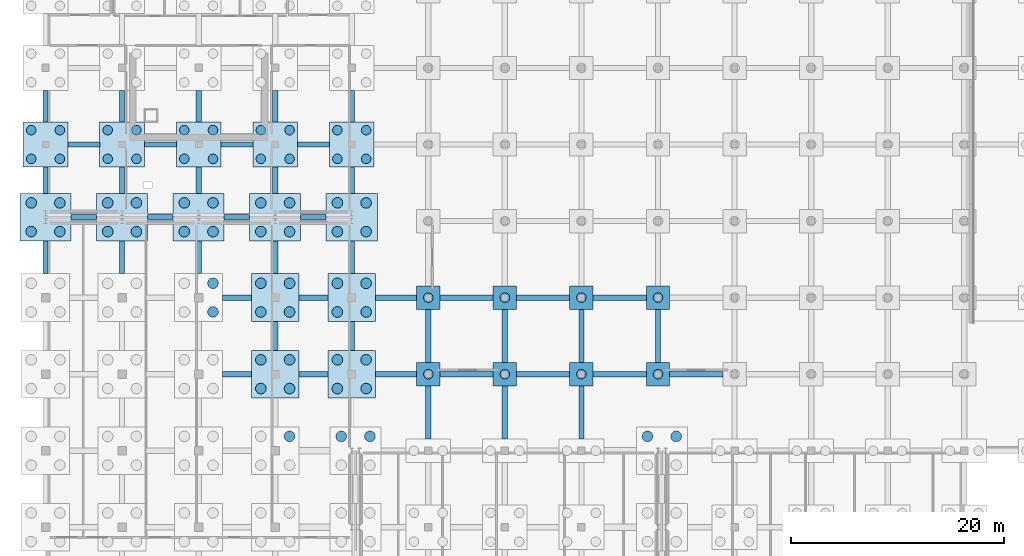
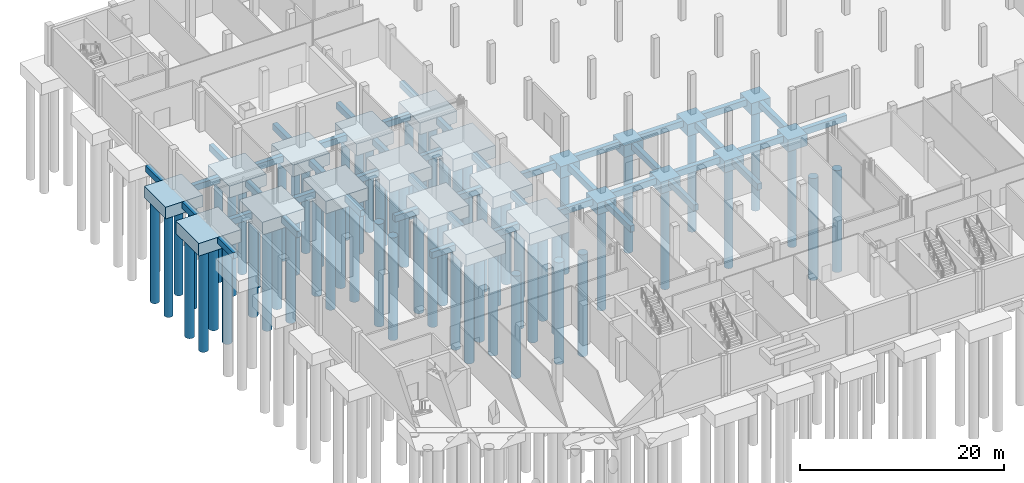
# One storey, part 3 of 35: 71 piles, 67 footings.
"""IFC4 building model written with IfcOpenShell, lengths in metres."""

import ifcopenshell
import ifcopenshell.guid

model = None  # the IFC model being written
_history = None  # IfcOwnerHistory: only IFC2X3 demands one
_inside = {}  # id of a spatial element -> (the spatial element, [elements in it])
_under = {}  # id of a project, library or spatial element -> (it, [spatial elements below it])
_declared = {}  # id of a project -> (the project, [libraries it declares])
_typed = {}  # id of a type object -> (the type object, [elements of that type])
_made_of = {}  # id of a material, layer set ... -> (it, [elements and type objects made of it])


def new_model(schema):
    """Start an empty IFC model of exactly this schema.

    Asked for "IFC4X3", IfcOpenShell would pick the latest addendum, in which some entities
    have other attributes; the version numbers below select the first issue.
    IFC2X3 requires an IfcOwnerHistory on every rooted entity: one is made here for all.
    """
    global model, _history
    if schema == "IFC4X3":
        model = ifcopenshell.file(schema_version=(4, 3, 0, 0))
    else:
        model = ifcopenshell.file(schema=schema)
    _inside.clear()
    _under.clear()
    _declared.clear()
    _typed.clear()
    _made_of.clear()
    _history = None
    if model.schema == "IFC2X3":
        org = make("IfcOrganization", Name="unknown")
        user = make(
            "IfcPersonAndOrganization",
            ThePerson=make("IfcPerson", FamilyName="unknown"),
            TheOrganization=org,
        )
        app = make(
            "IfcApplication",
            ApplicationDeveloper=org,
            Version="unknown",
            ApplicationFullName="unknown",
            ApplicationIdentifier="unknown",
        )
        _history = make(
            "IfcOwnerHistory",
            OwningUser=user,
            OwningApplication=app,
            ChangeAction="ADDED",
            CreationDate=0,
        )
    return model


def make(cls, **values):
    """One entity of the class cls with the attributes given. An attribute that is None is left unset."""
    return model.create_entity(
        cls, **{name: value for name, value in values.items() if value is not None}
    )


def rooted(cls, **values):
    """An entity with a GlobalId (a new one), such as an element, a storey or a relation."""
    return make(cls, GlobalId=ifcopenshell.guid.new(), OwnerHistory=_history, **values)


def si_unit(unit_type, name, prefix=None):
    """IfcSIUnit, for example si_unit("LENGTHUNIT", "METRE", prefix="MILLI")."""
    return make("IfcSIUnit", UnitType=unit_type, Prefix=prefix, Name=name)


def assignment(units):
    """IfcUnitAssignment: the units of a project."""
    return None if units is None else make("IfcUnitAssignment", Units=units)


def point(xyz):
    """IfcCartesianPoint."""
    return None if xyz is None else make("IfcCartesianPoint", Coordinates=xyz)


def direction(xyz):
    """IfcDirection."""
    return None if xyz is None else make("IfcDirection", DirectionRatios=xyz)


def frame(location, z_axis=None, x_axis=None):
    """IfcAxis2Placement3D, a coordinate frame: its origin and axes. An axis left out is left unset."""
    return make(
        "IfcAxis2Placement3D",
        Location=point(location),
        Axis=direction(z_axis),
        RefDirection=direction(x_axis),
    )


def frame_2d(location, x_axis=None):
    """IfcAxis2Placement2D, a coordinate frame in the plane: its origin and x axis."""
    return make(
        "IfcAxis2Placement2D", Location=point(location), RefDirection=direction(x_axis)
    )


def origin():
    """The frame at (0, 0, 0) with its axes left unset."""
    return frame((0.0, 0.0, 0.0))


def origin_2d():
    """The frame at (0, 0) in the plane with its x axis left unset."""
    return frame_2d((0.0, 0.0))


def place(relative_to, where):
    """IfcLocalPlacement: puts the frame where relative to a parent placement (None: the world)."""
    return make(
        "IfcLocalPlacement", PlacementRelTo=relative_to, RelativePlacement=where
    )


def context(
    kind, dimensions, precision=None, world=None, true_north=None, identifier=None
):
    """IfcGeometricRepresentationContext, for example the 3D "Model" context."""
    return make(
        "IfcGeometricRepresentationContext",
        ContextIdentifier=identifier,
        ContextType=kind,
        CoordinateSpaceDimension=dimensions,
        Precision=precision,
        WorldCoordinateSystem=world,
        TrueNorth=true_north,
    )


def subcontext(parent, identifier, kind, view, scale=None):
    """IfcGeometricRepresentationSubContext, for example "Body" below "Model"."""
    return make(
        "IfcGeometricRepresentationSubContext",
        ContextIdentifier=identifier,
        ContextType=kind,
        ParentContext=parent,
        TargetScale=scale,
        TargetView=view,
    )


def project(units=None, contexts=None):
    """IfcProject with its units and contexts."""
    return rooted(
        "IfcProject",
        Name="project",
        RepresentationContexts=contexts,
        UnitsInContext=assignment(units),
    )


def spatial(cls, under=None, at=None, **own):
    """A site, building, storey or space (cls), placed at a placement, below another one or the project."""
    s = rooted(cls, ObjectPlacement=at, **own)
    if under is not None:
        _under.setdefault(under.id(), (under, []))[1].append(s)
    return s


def profile(cls, at=None, kind="AREA", **sizes):
    """A parametric profile (cls). Its sizes go by their IFC names, for example OverallWidth=200.0."""
    return make(cls, ProfileType=kind, Position=at, **sizes)


def rectangle(**sizes):
    """IfcRectangleProfileDef."""
    return profile("IfcRectangleProfileDef", **sizes)


def circle(**sizes):
    """IfcCircleProfileDef."""
    return profile("IfcCircleProfileDef", **sizes)


def extrude(swept, where, along, depth):
    """IfcExtrudedAreaSolid: the profile swept, set in the frame where, extruded along a direction by depth."""
    return make(
        "IfcExtrudedAreaSolid",
        SweptArea=swept,
        Position=where,
        ExtrudedDirection=direction(along),
        Depth=depth,
    )


def shape(context_of_items, identifier, shape_type, items):
    """IfcShapeRepresentation: the items that make up one representation, for example the "Body"."""
    return make(
        "IfcShapeRepresentation",
        ContextOfItems=context_of_items,
        RepresentationIdentifier=identifier,
        RepresentationType=shape_type,
        Items=items,
    )


def material(Name=None, Category=None):
    """IfcMaterial."""
    return make("IfcMaterial", Name=Name, Category=Category)


def material_profile(
    of_material, cross_section, Name=None, Category=None, Priority=None
):
    """IfcMaterialProfile: a cross section and its material."""
    return make(
        "IfcMaterialProfile",
        Name=Name,
        Material=of_material,
        Profile=cross_section,
        Priority=Priority,
        Category=Category,
    )


def profile_set(profiles, Name=None, composite=None):
    """IfcMaterialProfileSet."""
    return make(
        "IfcMaterialProfileSet",
        Name=Name,
        MaterialProfiles=profiles,
        CompositeProfile=composite,
    )


def made_of(thing, what):
    """Note that an element or type object is made of a material, layer set ...; save() writes the relation."""
    if what is not None:
        _made_of.setdefault(what.id(), (what, []))[1].append(thing)
    return thing


def type_object(cls, material=None, **own):
    """A type object (cls), such as IfcWallType, which elements share."""
    return made_of(rooted(cls, **own), material)


def element(
    cls,
    number,
    at=None,
    inside=None,
    cuts=None,
    type_object=None,
    material=None,
    context=None,
    identifier="Body",
    shape_type=None,
    held_by="IfcProductDefinitionShape",
    body=None,
    shapes=None,
    **own,
):
    """One element of the class cls, such as IfcWall. Its Tag is "e" and its number.

    at: its placement. inside: the storey or other place that contains it. cuts: it is an
    opening in that element (IfcRelVoidsElement). A single representation is given by context,
    identifier, shape_type and body (its items); several are given by shapes. held_by: the class
    of the entity that holds the representations. save() writes the other relations.
    """
    e = rooted(cls, Tag="e%d" % number, ObjectPlacement=at, **own)
    if body is not None:
        shapes = [shape(context, identifier, shape_type, body)]
    if shapes is not None:
        e.Representation = make(held_by, Representations=shapes)
    if inside is not None:
        _inside.setdefault(inside.id(), (inside, []))[1].append(e)
    if cuts is not None:
        rooted(
            "IfcRelVoidsElement", RelatingBuildingElement=cuts, RelatedOpeningElement=e
        )
    if type_object is not None:
        _typed.setdefault(type_object.id(), (type_object, []))[1].append(e)
    return made_of(e, material)


def aggregate(whole, parts):
    """IfcRelAggregates: a whole, such as a stair, and the parts it consists of."""
    return rooted("IfcRelAggregates", RelatingObject=whole, RelatedObjects=parts)


def save(model, path):
    """Write the relations noted so far, then the file.

    IfcRelAggregates (storeys below a building ...), IfcRelContainedInSpatialStructure (elements
    in a storey), IfcRelDefinesByType, IfcRelAssociatesMaterial and IfcRelDeclares: one each for
    every whole, place, type object, material and project.
    """
    for whole, parts in _under.values():
        aggregate(whole, parts)
    for where, things in _inside.values():
        rooted(
            "IfcRelContainedInSpatialStructure",
            RelatedElements=things,
            RelatingStructure=where,
        )
    for kind, things in _typed.values():
        rooted("IfcRelDefinesByType", RelatedObjects=things, RelatingType=kind)
    for what, things in _made_of.values():
        rooted("IfcRelAssociatesMaterial", RelatedObjects=things, RelatingMaterial=what)
    for by, libraries in _declared.values():
        rooted("IfcRelDeclares", RelatingContext=by, RelatedDefinitions=libraries)
    model.write(path)


model = new_model("IFC4")

# Units and contexts
model_context = context("Model", 3, precision=1e-05, world=origin(), true_north=direction((0.0, 1.0)))
body_context = subcontext(model_context, "Body", "Model", "MODEL_VIEW")
ifc_project = project(units=[si_unit("LENGTHUNIT", "METRE"), si_unit("AREAUNIT", "SQUARE_METRE"), si_unit("VOLUMEUNIT", "CUBIC_METRE"), si_unit("PLANEANGLEUNIT", "RADIAN"), si_unit("MASSUNIT", "GRAM", prefix="KILO")], contexts=[model_context])

# Site, building, storey
site_placement = place(None, origin())
site = spatial("IfcSite", under=ifc_project, at=site_placement, CompositionType="ELEMENT")
building_placement = place(site_placement, origin())
building = spatial("IfcBuilding", under=site, at=building_placement, Name="Zarrinpeak Specialist Clinic", CompositionType="ELEMENT")
storey_placement = place(building_placement, frame((0.0, 0.0, -4.800048828125)))
storey = spatial("IfcBuildingStorey", under=building, at=storey_placement, Name="B01", CompositionType="ELEMENT", Elevation=-4.800048828125)

# Footings
ifc_material = material(Name="Concrete C40/50", Category="concrete")
ifc_material_profile_1 = material_profile(ifc_material, rectangle(XDim=0.5, YDim=0.75, at=origin_2d()), Name="RC 500x750")
ifc_profile_set_1 = profile_set([ifc_material_profile_1], Name="Concrete C40/50")
footing_type_1 = type_object("IfcFootingType", Name="FT-GB1", PredefinedType="FOOTING_BEAM", material=ifc_profile_set_1)
footing_1_placement = place(storey_placement, frame((16.64990234375, 36.0, -0.77490234375), z_axis=(1.0, 0.0, 0.0), x_axis=(0.0, 1.0, 0.0)))
element("IfcFooting", 1, at=footing_1_placement, inside=storey, type_object=footing_type_1, Name="Continuous Ground Tie Beam GB-060", PredefinedType="FOOTING_BEAM", context=body_context, shape_type="SweptSolid", body=[
    extrude(rectangle(XDim=0.5, YDim=0.75, at=origin_2d()), origin(), (0.0, 0.0, 1.0), 2.7001953125),
])
footing_2_placement = place(storey_placement, frame((23.85009765625, 36.0, -0.77490234375), z_axis=(1.0, 0.0, 0.0), x_axis=(0.0, 1.0, 0.0)))
element("IfcFooting", 2, at=footing_2_placement, inside=storey, type_object=footing_type_1, Name="Continuous Ground Tie Beam GB-061", PredefinedType="FOOTING_BEAM", context=body_context, shape_type="SweptSolid", body=[
    extrude(rectangle(XDim=0.5, YDim=0.75, at=origin_2d()), origin(), (0.0, 0.0, 1.0), 2.699951171875),
])
footing_3_placement = place(storey_placement, frame((31.050048828125, 36.0, -0.77490234375), z_axis=(1.0, 0.0, 0.0), x_axis=(0.0, 1.0, 0.0)))
element("IfcFooting", 3, at=footing_3_placement, inside=storey, type_object=footing_type_1, Name="Continuous Ground Tie Beam GB-062", PredefinedType="FOOTING_BEAM", context=body_context, shape_type="SweptSolid", body=[
    extrude(rectangle(XDim=0.5, YDim=0.75, at=origin_2d()), origin(), (0.0, 0.0, 1.0), 3.849853515625),
])
for number, where, z_axis, x_axis, name in (
    (4, (37.10009765625, 36.0, -0.77490234375), (1.0, 0.0, 0.0), (0.0, 1.0, 0.0), "Continuous Ground Tie Beam GB-063"),
    (5, (44.300048828125, 36.0, -0.77490234375), (1.0, 0.0, 0.0), (0.0, 1.0, 0.0), "Continuous Ground Tie Beam GB-064"),
    (6, (51.5, 36.0, -0.77490234375), (1.0, 0.0, 0.0), (0.0, 1.0, 0.0), "Continuous Ground Tie Beam GB-065"),
    (7, (58.699951171875, 36.0, -0.77490234375), (1.0, 0.0, 0.0), (0.0, 1.0, 0.0), "Continuous Ground Tie Beam GB-066"),
):
    element("IfcFooting", number, at=place(storey_placement, frame(where, z_axis=z_axis, x_axis=x_axis)), inside=storey, type_object=footing_type_1, Name=name, PredefinedType="FOOTING_BEAM", context=body_context, shape_type="SweptSolid", body=[
        extrude(rectangle(XDim=0.5, YDim=0.75, at=origin_2d()), origin(), (0.0, 0.0, 1.0), 5.0),
    ])
footing_4_placement = place(storey_placement, frame((16.64990234375, 43.199951171875, -0.77490234375), z_axis=(1.0, 0.0, 0.0), x_axis=(0.0, 1.0, 0.0)))
element("IfcFooting", 8, at=footing_4_placement, inside=storey, type_object=footing_type_1, Name="Continuous Ground Tie Beam GB-082", PredefinedType="FOOTING_BEAM", context=body_context, shape_type="SweptSolid", body=[
    extrude(rectangle(XDim=0.5, YDim=0.75, at=origin_2d()), origin(), (0.0, 0.0, 1.0), 2.7001953125),
])
footing_5_placement = place(storey_placement, frame((23.85009765625, 43.199951171875, -0.77490234375), z_axis=(1.0, 0.0, 0.0), x_axis=(0.0, 1.0, 0.0)))
element("IfcFooting", 9, at=footing_5_placement, inside=storey, type_object=footing_type_1, Name="Continuous Ground Tie Beam GB-083", PredefinedType="FOOTING_BEAM", context=body_context, shape_type="SweptSolid", body=[
    extrude(rectangle(XDim=0.5, YDim=0.75, at=origin_2d()), origin(), (0.0, 0.0, 1.0), 2.699951171875),
])
footing_6_placement = place(storey_placement, frame((31.050048828125, 43.199951171875, -0.77490234375), z_axis=(1.0, 0.0, 0.0), x_axis=(0.0, 1.0, 0.0)))
element("IfcFooting", 10, at=footing_6_placement, inside=storey, type_object=footing_type_1, Name="Continuous Ground Tie Beam GB-084", PredefinedType="FOOTING_BEAM", context=body_context, shape_type="SweptSolid", body=[
    extrude(rectangle(XDim=0.5, YDim=0.75, at=origin_2d()), origin(), (0.0, 0.0, 1.0), 3.849853515625),
])
for number, where, z_axis, x_axis, name in (
    (11, (37.10009765625, 43.199951171875, -0.77490234375), (1.0, 0.0, 0.0), (0.0, 1.0, 0.0), "Continuous Ground Tie Beam GB-085"),
    (12, (44.300048828125, 43.199951171875, -0.77490234375), (1.0, 0.0, 0.0), (0.0, 1.0, 0.0), "Continuous Ground Tie Beam GB-086"),
    (13, (51.5, 43.199951171875, -0.77490234375), (1.0, 0.0, 0.0), (0.0, 1.0, 0.0), "Continuous Ground Tie Beam GB-087"),
):
    element("IfcFooting", number, at=place(storey_placement, frame(where, z_axis=z_axis, x_axis=x_axis)), inside=storey, type_object=footing_type_1, Name=name, PredefinedType="FOOTING_BEAM", context=body_context, shape_type="SweptSolid", body=[
        extrude(rectangle(XDim=0.5, YDim=0.75, at=origin_2d()), origin(), (0.0, 0.0, 1.0), 5.0),
    ])
footing_7_placement = place(storey_placement, frame((2.39990234375, 50.760009765625, -0.77490234375), z_axis=(1.0, 0.0, 0.0), x_axis=(0.0, 1.0, 0.0)))
element("IfcFooting", 14, at=footing_7_placement, inside=storey, type_object=footing_type_1, Name="Continuous Ground Tie Beam GB-121", PredefinedType="FOOTING_BEAM", context=body_context, shape_type="SweptSolid", body=[
    extrude(rectangle(XDim=0.5, YDim=0.75, at=origin_2d()), origin(), (0.0, 0.0, 1.0), 2.400146484375),
])
for number, where, z_axis, x_axis, name in (
    (15, (9.60009765625, 50.760009765625, -0.77490234375), (1.0, 0.0, 0.0), (0.0, 1.0, 0.0), "Continuous Ground Tie Beam GB-122"),
    (16, (16.800048828125, 50.760009765625, -0.77490234375), (1.0, 0.0, 0.0), (0.0, 1.0, 0.0), "Continuous Ground Tie Beam GB-123"),
    (17, (24.0, 50.760009765625, -0.77490234375), (1.0, 0.0, 0.0), (0.0, 1.0, 0.0), "Continuous Ground Tie Beam GB-124"),
):
    element("IfcFooting", number, at=place(storey_placement, frame(where, z_axis=z_axis, x_axis=x_axis)), inside=storey, type_object=footing_type_1, Name=name, PredefinedType="FOOTING_BEAM", context=body_context, shape_type="SweptSolid", body=[
        extrude(rectangle(XDim=0.5, YDim=0.75, at=origin_2d()), origin(), (0.0, 0.0, 1.0), 2.39990234375),
    ])
for number, where, z_axis, x_axis, name in (
    (18, (2.10009765625, 57.60009765625, -0.77490234375), (1.0, 0.0, 0.0), (0.0, 1.0, 0.0), "Continuous Ground Tie Beam GB-125"),
    (19, (9.300048828125, 57.60009765625, -0.77490234375), (1.0, 0.0, 0.0), (0.0, 1.0, 0.0), "Continuous Ground Tie Beam GB-126"),
    (20, (16.5, 57.60009765625, -0.77490234375), (1.0, 0.0, 0.0), (0.0, 1.0, 0.0), "Continuous Ground Tie Beam GB-127"),
    (21, (23.699951171875, 57.60009765625, -0.77490234375), (1.0, 0.0, 0.0), (0.0, 1.0, 0.0), "Continuous Ground Tie Beam GB-128"),
):
    element("IfcFooting", number, at=place(storey_placement, frame(where, z_axis=z_axis, x_axis=x_axis)), inside=storey, type_object=footing_type_1, Name=name, PredefinedType="FOOTING_BEAM", context=body_context, shape_type="SweptSolid", body=[
        extrude(rectangle(XDim=0.5, YDim=0.75, at=origin_2d()), origin(), (0.0, 0.0, 1.0), 3.0),
    ])
footing_8_placement = place(storey_placement, frame((0.0, 45.449951171875, -0.77490234375), z_axis=(0.0, 1.0, 0.0), x_axis=(-1.0, 0.0, 0.0)))
element("IfcFooting", 22, at=footing_8_placement, inside=storey, type_object=footing_type_1, Name="Continuous Ground Tie Beam GB-211", PredefinedType="FOOTING_BEAM", context=body_context, shape_type="SweptSolid", body=[
    extrude(rectangle(XDim=0.5, YDim=0.75, at=origin_2d()), origin(), (0.0, 0.0, 1.0), 3.06005859375),
])
footing_9_placement = place(storey_placement, frame((0.0, 53.010009765625, -0.77490234375), z_axis=(0.0, 1.0, 0.0), x_axis=(-1.0, 0.0, 0.0)))
element("IfcFooting", 23, at=footing_9_placement, inside=storey, type_object=footing_type_1, Name="Continuous Ground Tie Beam GB-212", PredefinedType="FOOTING_BEAM", context=body_context, shape_type="SweptSolid", body=[
    extrude(rectangle(XDim=0.5, YDim=0.75, at=origin_2d()), origin(), (0.0, 0.0, 1.0), 2.489990234375),
])
footing_10_placement = place(storey_placement, frame((0.0, 59.699951171875, -0.77490234375), z_axis=(0.0, 1.0, 0.0), x_axis=(-1.0, 0.0, 0.0)))
element("IfcFooting", 24, at=footing_10_placement, inside=storey, type_object=footing_type_1, Name="Continuous Ground Tie Beam GB-213", PredefinedType="FOOTING_BEAM", context=body_context, shape_type="SweptSolid", body=[
    extrude(rectangle(XDim=0.5, YDim=0.75, at=origin_2d()), origin(), (0.0, 0.0, 1.0), 3.0),
])
footing_11_placement = place(storey_placement, frame((7.199951171875, 45.449951171875, -0.77490234375), z_axis=(0.0, 1.0, 0.0), x_axis=(-1.0, 0.0, 0.0)))
element("IfcFooting", 25, at=footing_11_placement, inside=storey, type_object=footing_type_1, Name="Continuous Ground Tie Beam GB-221", PredefinedType="FOOTING_BEAM", context=body_context, shape_type="SweptSolid", body=[
    extrude(rectangle(XDim=0.5, YDim=0.75, at=origin_2d()), origin(), (0.0, 0.0, 1.0), 3.06005859375),
])
footing_12_placement = place(storey_placement, frame((7.199951171875, 53.010009765625, -0.77490234375), z_axis=(0.0, 1.0, 0.0), x_axis=(-1.0, 0.0, 0.0)))
element("IfcFooting", 26, at=footing_12_placement, inside=storey, type_object=footing_type_1, Name="Continuous Ground Tie Beam GB-222", PredefinedType="FOOTING_BEAM", context=body_context, shape_type="SweptSolid", body=[
    extrude(rectangle(XDim=0.5, YDim=0.75, at=origin_2d()), origin(), (0.0, 0.0, 1.0), 2.489990234375),
])
footing_13_placement = place(storey_placement, frame((7.199951171875, 59.699951171875, -0.77490234375), z_axis=(0.0, 1.0, 0.0), x_axis=(-1.0, 0.0, 0.0)))
element("IfcFooting", 27, at=footing_13_placement, inside=storey, type_object=footing_type_1, Name="Continuous Ground Tie Beam GB-223", PredefinedType="FOOTING_BEAM", context=body_context, shape_type="SweptSolid", body=[
    extrude(rectangle(XDim=0.5, YDim=0.75, at=origin_2d()), origin(), (0.0, 0.0, 1.0), 3.0),
])
footing_14_placement = place(storey_placement, frame((14.39990234375, 45.449951171875, -0.77490234375), z_axis=(0.0, 1.0, 0.0), x_axis=(-1.0, 0.0, 0.0)))
element("IfcFooting", 28, at=footing_14_placement, inside=storey, type_object=footing_type_1, Name="Continuous Ground Tie Beam GB-232", PredefinedType="FOOTING_BEAM", context=body_context, shape_type="SweptSolid", body=[
    extrude(rectangle(XDim=0.5, YDim=0.75, at=origin_2d()), origin(), (0.0, 0.0, 1.0), 3.06005859375),
])
footing_15_placement = place(storey_placement, frame((14.39990234375, 53.010009765625, -0.77490234375), z_axis=(0.0, 1.0, 0.0), x_axis=(-1.0, 0.0, 0.0)))
element("IfcFooting", 29, at=footing_15_placement, inside=storey, type_object=footing_type_1, Name="Continuous Ground Tie Beam GB-233", PredefinedType="FOOTING_BEAM", context=body_context, shape_type="SweptSolid", body=[
    extrude(rectangle(XDim=0.5, YDim=0.75, at=origin_2d()), origin(), (0.0, 0.0, 1.0), 2.489990234375),
])
footing_16_placement = place(storey_placement, frame((14.39990234375, 59.699951171875, -0.77490234375), z_axis=(0.0, 1.0, 0.0), x_axis=(-1.0, 0.0, 0.0)))
element("IfcFooting", 30, at=footing_16_placement, inside=storey, type_object=footing_type_1, Name="Continuous Ground Tie Beam GB-234", PredefinedType="FOOTING_BEAM", context=body_context, shape_type="SweptSolid", body=[
    extrude(rectangle(XDim=0.5, YDim=0.75, at=origin_2d()), origin(), (0.0, 0.0, 1.0), 3.0),
])
footing_17_placement = place(storey_placement, frame((21.60009765625, 38.25, -0.77490234375), z_axis=(0.0, 1.0, 0.0), x_axis=(-1.0, 0.0, 0.0)))
element("IfcFooting", 31, at=footing_17_placement, inside=storey, type_object=footing_type_1, Name="Continuous Ground Tie Beam GB-242", PredefinedType="FOOTING_BEAM", context=body_context, shape_type="SweptSolid", body=[
    extrude(rectangle(XDim=0.5, YDim=0.75, at=origin_2d()), origin(), (0.0, 0.0, 1.0), 2.699951171875),
])
footing_18_placement = place(storey_placement, frame((21.60009765625, 45.449951171875, -0.77490234375), z_axis=(0.0, 1.0, 0.0), x_axis=(-1.0, 0.0, 0.0)))
element("IfcFooting", 32, at=footing_18_placement, inside=storey, type_object=footing_type_1, Name="Continuous Ground Tie Beam GB-243", PredefinedType="FOOTING_BEAM", context=body_context, shape_type="SweptSolid", body=[
    extrude(rectangle(XDim=0.5, YDim=0.75, at=origin_2d()), origin(), (0.0, 0.0, 1.0), 3.06005859375),
])
footing_19_placement = place(storey_placement, frame((21.60009765625, 53.010009765625, -0.77490234375), z_axis=(0.0, 1.0, 0.0), x_axis=(-1.0, 0.0, 0.0)))
element("IfcFooting", 33, at=footing_19_placement, inside=storey, type_object=footing_type_1, Name="Continuous Ground Tie Beam GB-244", PredefinedType="FOOTING_BEAM", context=body_context, shape_type="SweptSolid", body=[
    extrude(rectangle(XDim=0.5, YDim=0.75, at=origin_2d()), origin(), (0.0, 0.0, 1.0), 2.489990234375),
])
footing_20_placement = place(storey_placement, frame((21.60009765625, 59.699951171875, -0.77490234375), z_axis=(0.0, 1.0, 0.0), x_axis=(-1.0, 0.0, 0.0)))
element("IfcFooting", 34, at=footing_20_placement, inside=storey, type_object=footing_type_1, Name="Continuous Ground Tie Beam GB-245", PredefinedType="FOOTING_BEAM", context=body_context, shape_type="SweptSolid", body=[
    extrude(rectangle(XDim=0.5, YDim=0.75, at=origin_2d()), origin(), (0.0, 0.0, 1.0), 3.0),
])
footing_21_placement = place(storey_placement, frame((28.800048828125, 38.25, -0.77490234375), z_axis=(0.0, 1.0, 0.0), x_axis=(-1.0, 0.0, 0.0)))
element("IfcFooting", 35, at=footing_21_placement, inside=storey, type_object=footing_type_1, Name="Continuous Ground Tie Beam GB-248", PredefinedType="FOOTING_BEAM", context=body_context, shape_type="SweptSolid", body=[
    extrude(rectangle(XDim=0.5, YDim=0.75, at=origin_2d()), origin(), (0.0, 0.0, 1.0), 2.699951171875),
])
footing_22_placement = place(storey_placement, frame((28.800048828125, 45.449951171875, -0.77490234375), z_axis=(0.0, 1.0, 0.0), x_axis=(-1.0, 0.0, 0.0)))
element("IfcFooting", 36, at=footing_22_placement, inside=storey, type_object=footing_type_1, Name="Continuous Ground Tie Beam GB-249", PredefinedType="FOOTING_BEAM", context=body_context, shape_type="SweptSolid", body=[
    extrude(rectangle(XDim=0.5, YDim=0.75, at=origin_2d()), origin(), (0.0, 0.0, 1.0), 3.06005859375),
])
footing_23_placement = place(storey_placement, frame((28.800048828125, 53.010009765625, -0.77490234375), z_axis=(0.0, 1.0, 0.0), x_axis=(-1.0, 0.0, 0.0)))
element("IfcFooting", 37, at=footing_23_placement, inside=storey, type_object=footing_type_1, Name="Continuous Ground Tie Beam GB-250", PredefinedType="FOOTING_BEAM", context=body_context, shape_type="SweptSolid", body=[
    extrude(rectangle(XDim=0.5, YDim=0.75, at=origin_2d()), origin(), (0.0, 0.0, 1.0), 2.489990234375),
])
footing_24_placement = place(storey_placement, frame((28.800048828125, 59.699951171875, -0.77490234375), z_axis=(0.0, 1.0, 0.0), x_axis=(-1.0, 0.0, 0.0)))
element("IfcFooting", 38, at=footing_24_placement, inside=storey, type_object=footing_type_1, Name="Continuous Ground Tie Beam GB-251", PredefinedType="FOOTING_BEAM", context=body_context, shape_type="SweptSolid", body=[
    extrude(rectangle(XDim=0.5, YDim=0.75, at=origin_2d()), origin(), (0.0, 0.0, 1.0), 3.0),
])
for number, where, z_axis, x_axis, name in (
    (39, (36.0, 29.89990234375, -0.77490234375), (0.0, 1.0, 0.0), (-1.0, 0.0, 0.0), "Continuous Ground Tie Beam GB-258"),
    (40, (36.0, 37.10009765625, -0.77490234375), (0.0, 1.0, 0.0), (-1.0, 0.0, 0.0), "Continuous Ground Tie Beam GB-259"),
    (41, (43.199951171875, 29.89990234375, -0.77490234375), (0.0, 1.0, 0.0), (-1.0, 0.0, 0.0), "Continuous Ground Tie Beam GB-272"),
    (42, (43.199951171875, 37.10009765625, -0.77490234375), (0.0, 1.0, 0.0), (-1.0, 0.0, 0.0), "Continuous Ground Tie Beam GB-273"),
    (43, (50.39990234375, 29.89990234375, -0.77490234375), (0.0, 1.0, 0.0), (-1.0, 0.0, 0.0), "Continuous Ground Tie Beam GB-288"),
    (44, (50.39990234375, 37.10009765625, -0.77490234375), (0.0, 1.0, 0.0), (-1.0, 0.0, 0.0), "Continuous Ground Tie Beam GB-289"),
    (45, (57.60009765625, 37.10009765625, -0.77490234375), (0.0, 1.0, 0.0), (-1.0, 0.0, 0.0), "Continuous Ground Tie Beam GB-300"),
):
    element("IfcFooting", number, at=place(storey_placement, frame(where, z_axis=z_axis, x_axis=x_axis)), inside=storey, type_object=footing_type_1, Name=name, PredefinedType="FOOTING_BEAM", context=body_context, shape_type="SweptSolid", body=[
        extrude(rectangle(XDim=0.5, YDim=0.75, at=origin_2d()), origin(), (0.0, 0.0, 1.0), 5.0),
    ])
footing_type_2 = type_object("IfcFootingType", Name="FT-PC1", PredefinedType="PILE_CAP", material=ifc_material)
for number, where, z_axis, x_axis, name in (
    (46, (36.0, 36.0, -1.7998046875), (0.0, 0.0, 1.0), (1.0, 0.0, 0.0), "Combined Pile Cap CAP-063 (B01-C1)"),
    (47, (36.0, 43.199951171875, -1.7998046875), (0.0, 0.0, 1.0), (1.0, 0.0, 0.0), "Combined Pile Cap CAP-064 (B01-C1)"),
    (48, (43.199951171875, 36.0, -1.7998046875), (0.0, 0.0, 1.0), (1.0, 0.0, 0.0), "Combined Pile Cap CAP-080 (B01-C1)"),
    (49, (43.199951171875, 43.199951171875, -1.7998046875), (0.0, 0.0, 1.0), (1.0, 0.0, 0.0), "Combined Pile Cap CAP-081 (B01-C1)"),
    (50, (50.39990234375, 36.0, -1.7998046875), (0.0, 0.0, 1.0), (1.0, 0.0, 0.0), "Combined Pile Cap CAP-098 (B01-C1)"),
    (51, (50.39990234375, 43.199951171875, -1.7998046875), (0.0, 0.0, 1.0), (1.0, 0.0, 0.0), "Combined Pile Cap CAP-099 (B01-C1)"),
    (52, (57.60009765625, 36.0, -1.7998046875), (0.0, 0.0, 1.0), (1.0, 0.0, 0.0), "Combined Pile Cap CAP-115 (B01-C1)"),
    (53, (57.60009765625, 43.199951171875, -1.7998046875), (0.0, 0.0, 1.0), (1.0, 0.0, 0.0), "Combined Pile Cap CAP-116 (B01-C1)"),
):
    element("IfcFooting", number, at=place(storey_placement, frame(where, z_axis=z_axis, x_axis=x_axis)), inside=storey, type_object=footing_type_2, Name=name, PredefinedType="PILE_CAP", context=body_context, shape_type="SweptSolid", body=[
        extrude(rectangle(XDim=2.199951171875, YDim=2.199951171875, at=origin_2d()), origin(), (0.0, 0.0, 1.0), 1.39990234375),
    ])
footing_type_3 = type_object("IfcFootingType", Name="FT-PC3", PredefinedType="PILE_CAP", material=ifc_material)
for number, where, z_axis, x_axis, name in (
    (54, (0.0, 57.60009765625, -1.7998046875), (0.0, 0.0, 1.0), (1.0, 0.0, 0.0), "Combined Pile Cap CAP-007 (V5)"),
    (55, (7.199951171875, 57.60009765625, -1.7998046875), (0.0, 0.0, 1.0), (1.0, 0.0, 0.0), "Combined Pile Cap CAP-019 (V5)"),
    (56, (14.39990234375, 57.60009765625, -1.7998046875), (0.0, 0.0, 1.0), (1.0, 0.0, 0.0), "Combined Pile Cap CAP-031 (V5)"),
    (57, (21.60009765625, 57.60009765625, -1.7998046875), (0.0, 0.0, 1.0), (1.0, 0.0, 0.0), "Combined Pile Cap CAP-043 (V5)"),
    (58, (28.800048828125, 57.60009765625, -1.7998046875), (0.0, 0.0, 1.0), (1.0, 0.0, 0.0), "Combined Pile Cap CAP-053 (V5)"),
):
    element("IfcFooting", number, at=place(storey_placement, frame(where, z_axis=z_axis, x_axis=x_axis)), inside=storey, type_object=footing_type_3, Name=name, PredefinedType="PILE_CAP", context=body_context, shape_type="SweptSolid", body=[
        extrude(rectangle(XDim=4.199951171875, YDim=4.199951171875, at=origin_2d()), origin(), (0.0, 0.0, 1.0), 1.39990234375),
    ])
footing_type_4 = type_object("IfcFootingType", Name="FT-PC4", PredefinedType="PILE_CAP", material=ifc_material)
for number, where, z_axis, x_axis, name in (
    (59, (21.60009765625, 36.0, -1.7998046875), (0.0, 0.0, 1.0), (1.0, 0.0, 0.0), "Combined Pile Cap CAP-040 (V1)"),
    (60, (21.60009765625, 43.199951171875, -1.7998046875), (0.0, 0.0, 1.0), (1.0, 0.0, 0.0), "Combined Pile Cap CAP-041 (V1)"),
    (61, (28.800048828125, 36.0, -1.7998046875), (0.0, 0.0, 1.0), (1.0, 0.0, 0.0), "Combined Pile Cap CAP-050 (V1)"),
    (62, (28.800048828125, 43.199951171875, -1.7998046875), (0.0, 0.0, 1.0), (1.0, 0.0, 0.0), "Combined Pile Cap CAP-051 (V1)"),
):
    element("IfcFooting", number, at=place(storey_placement, frame(where, z_axis=z_axis, x_axis=x_axis)), inside=storey, type_object=footing_type_4, Name=name, PredefinedType="PILE_CAP", context=body_context, shape_type="SweptSolid", body=[
        extrude(rectangle(XDim=4.5, YDim=4.5, at=origin_2d()), origin(), (0.0, 0.0, 1.0), 1.39990234375),
    ])
footing_type_5 = type_object("IfcFootingType", Name="FT-PC5", PredefinedType="PILE_CAP", material=ifc_material)
for number, where, z_axis, x_axis, name in (
    (63, (0.0, 50.760009765625, -1.89990234375), (0.0, 0.0, 1.0), (1.0, 0.0, 0.0), "Combined Pile Cap CAP-006 (V1)"),
    (64, (7.199951171875, 50.760009765625, -1.89990234375), (0.0, 0.0, 1.0), (1.0, 0.0, 0.0), "Combined Pile Cap CAP-018 (V1)"),
    (65, (14.39990234375, 50.760009765625, -1.89990234375), (0.0, 0.0, 1.0), (1.0, 0.0, 0.0), "Combined Pile Cap CAP-030 (V1)"),
    (66, (21.60009765625, 50.760009765625, -1.89990234375), (0.0, 0.0, 1.0), (1.0, 0.0, 0.0), "Combined Pile Cap CAP-042 (V1)"),
    (67, (28.800048828125, 50.760009765625, -1.89990234375), (0.0, 0.0, 1.0), (1.0, 0.0, 0.0), "Combined Pile Cap CAP-052 (V1)"),
):
    element("IfcFooting", number, at=place(storey_placement, frame(where, z_axis=z_axis, x_axis=x_axis)), inside=storey, type_object=footing_type_5, Name=name, PredefinedType="PILE_CAP", context=body_context, shape_type="SweptSolid", body=[
        extrude(rectangle(XDim=4.800048828125, YDim=4.5, at=origin_2d()), origin(), (0.0, 0.0, 1.0), 1.5),
    ])

# Piles
ifc_material_profile_2 = material_profile(ifc_material, circle(Radius=0.5, at=origin_2d()), Name="BORED PILE D1000")
ifc_profile_set_2 = profile_set([ifc_material_profile_2], Name="Concrete C40/50")
pile_type_1 = type_object("IfcPileType", Name="PL-D1000", PredefinedType="BORED", material=ifc_profile_set_2)
for number, where, z_axis, x_axis, name in (
    (68, (-1.35009765625, 49.409912109375, -1.800048828125), (0.0, 0.0, -1.0), (1.0, 0.0, 0.0), "Bored Foundation Pile FP-006-1"),
    (69, (1.35009765625, 49.409912109375, -1.800048828125), (0.0, 0.0, -1.0), (1.0, 0.0, 0.0), "Bored Foundation Pile FP-006-2"),
    (70, (-1.35009765625, 52.110107421875, -1.800048828125), (0.0, 0.0, -1.0), (1.0, 0.0, 0.0), "Bored Foundation Pile FP-006-3"),
    (71, (1.35009765625, 52.110107421875, -1.800048828125), (0.0, 0.0, -1.0), (1.0, 0.0, 0.0), "Bored Foundation Pile FP-006-4"),
    (72, (5.85009765625, 49.409912109375, -1.800048828125), (0.0, 0.0, -1.0), (1.0, 0.0, 0.0), "Bored Foundation Pile FP-018-1"),
    (73, (8.550048828125, 49.409912109375, -1.800048828125), (0.0, 0.0, -1.0), (1.0, 0.0, 0.0), "Bored Foundation Pile FP-018-2"),
    (74, (5.85009765625, 52.110107421875, -1.800048828125), (0.0, 0.0, -1.0), (1.0, 0.0, 0.0), "Bored Foundation Pile FP-018-3"),
    (75, (8.550048828125, 52.110107421875, -1.800048828125), (0.0, 0.0, -1.0), (1.0, 0.0, 0.0), "Bored Foundation Pile FP-018-4"),
):
    element("IfcPile", number, at=place(storey_placement, frame(where, z_axis=z_axis, x_axis=x_axis)), inside=storey, type_object=pile_type_1, Name=name, PredefinedType="BORED", context=body_context, shape_type="SweptSolid", body=[
        extrude(circle(Radius=0.5, at=origin_2d()), origin(), (0.0, 0.0, 1.0), 12.199951171875),
    ])
for number, where, z_axis, x_axis, name in (
    (76, (15.75, 41.85009765625, -1.699951171875), (0.0, 0.0, -1.0), (1.0, 0.0, 0.0), "Bored Foundation Pile FP-029-2"),
    (77, (15.75, 44.550048828125, -1.699951171875), (0.0, 0.0, -1.0), (1.0, 0.0, 0.0), "Bored Foundation Pile FP-029-4"),
):
    element("IfcPile", number, at=place(storey_placement, frame(where, z_axis=z_axis, x_axis=x_axis)), inside=storey, type_object=pile_type_1, Name=name, PredefinedType="BORED", context=body_context, shape_type="SweptSolid", body=[
        extrude(circle(Radius=0.5, at=origin_2d()), origin(), (0.0, 0.0, 1.0), 12.300048828125),
    ])
for number, where, z_axis, x_axis, name in (
    (78, (13.050048828125, 49.409912109375, -1.800048828125), (0.0, 0.0, -1.0), (1.0, 0.0, 0.0), "Bored Foundation Pile FP-030-1"),
    (79, (15.75, 49.409912109375, -1.800048828125), (0.0, 0.0, -1.0), (1.0, 0.0, 0.0), "Bored Foundation Pile FP-030-2"),
    (80, (13.050048828125, 52.110107421875, -1.800048828125), (0.0, 0.0, -1.0), (1.0, 0.0, 0.0), "Bored Foundation Pile FP-030-3"),
    (81, (15.75, 52.110107421875, -1.800048828125), (0.0, 0.0, -1.0), (1.0, 0.0, 0.0), "Bored Foundation Pile FP-030-4"),
):
    element("IfcPile", number, at=place(storey_placement, frame(where, z_axis=z_axis, x_axis=x_axis)), inside=storey, type_object=pile_type_1, Name=name, PredefinedType="BORED", context=body_context, shape_type="SweptSolid", body=[
        extrude(circle(Radius=0.5, at=origin_2d()), origin(), (0.0, 0.0, 1.0), 12.199951171875),
    ])
for number, where, z_axis, x_axis, name in (
    (82, (22.949951171875, 30.14990234375, -1.699951171875), (0.0, 0.0, -1.0), (1.0, 0.0, 0.0), "Bored Foundation Pile FP-039-4"),
    (83, (20.25, 34.64990234375, -1.699951171875), (0.0, 0.0, -1.0), (1.0, 0.0, 0.0), "Bored Foundation Pile FP-040-1"),
    (84, (22.949951171875, 34.64990234375, -1.699951171875), (0.0, 0.0, -1.0), (1.0, 0.0, 0.0), "Bored Foundation Pile FP-040-2"),
    (85, (20.25, 37.35009765625, -1.699951171875), (0.0, 0.0, -1.0), (1.0, 0.0, 0.0), "Bored Foundation Pile FP-040-3"),
    (86, (22.949951171875, 37.35009765625, -1.699951171875), (0.0, 0.0, -1.0), (1.0, 0.0, 0.0), "Bored Foundation Pile FP-040-4"),
    (87, (20.25, 41.85009765625, -1.699951171875), (0.0, 0.0, -1.0), (1.0, 0.0, 0.0), "Bored Foundation Pile FP-041-1"),
    (88, (22.949951171875, 41.85009765625, -1.699951171875), (0.0, 0.0, -1.0), (1.0, 0.0, 0.0), "Bored Foundation Pile FP-041-2"),
    (89, (20.25, 44.550048828125, -1.699951171875), (0.0, 0.0, -1.0), (1.0, 0.0, 0.0), "Bored Foundation Pile FP-041-3"),
    (90, (22.949951171875, 44.550048828125, -1.699951171875), (0.0, 0.0, -1.0), (1.0, 0.0, 0.0), "Bored Foundation Pile FP-041-4"),
):
    element("IfcPile", number, at=place(storey_placement, frame(where, z_axis=z_axis, x_axis=x_axis)), inside=storey, type_object=pile_type_1, Name=name, PredefinedType="BORED", context=body_context, shape_type="SweptSolid", body=[
        extrude(circle(Radius=0.5, at=origin_2d()), origin(), (0.0, 0.0, 1.0), 12.300048828125),
    ])
for number, where, z_axis, x_axis, name in (
    (91, (20.25, 49.409912109375, -1.800048828125), (0.0, 0.0, -1.0), (1.0, 0.0, 0.0), "Bored Foundation Pile FP-042-1"),
    (92, (22.949951171875, 49.409912109375, -1.800048828125), (0.0, 0.0, -1.0), (1.0, 0.0, 0.0), "Bored Foundation Pile FP-042-2"),
    (93, (20.25, 52.110107421875, -1.800048828125), (0.0, 0.0, -1.0), (1.0, 0.0, 0.0), "Bored Foundation Pile FP-042-3"),
    (94, (22.949951171875, 52.110107421875, -1.800048828125), (0.0, 0.0, -1.0), (1.0, 0.0, 0.0), "Bored Foundation Pile FP-042-4"),
    (95, (27.81005859375, 30.14990234375, -1.800048828125), (0.0, 0.0, -1.0), (1.0, 0.0, 0.0), "Bored Foundation Pile FP-049-3"),
    (96, (30.510009765625, 30.14990234375, -1.800048828125), (0.0, 0.0, -1.0), (1.0, 0.0, 0.0), "Bored Foundation Pile FP-049-4"),
):
    element("IfcPile", number, at=place(storey_placement, frame(where, z_axis=z_axis, x_axis=x_axis)), inside=storey, type_object=pile_type_1, Name=name, PredefinedType="BORED", context=body_context, shape_type="SweptSolid", body=[
        extrude(circle(Radius=0.5, at=origin_2d()), origin(), (0.0, 0.0, 1.0), 12.199951171875),
    ])
for number, where, z_axis, x_axis, name in (
    (97, (27.449951171875, 34.64990234375, -1.699951171875), (0.0, 0.0, -1.0), (1.0, 0.0, 0.0), "Bored Foundation Pile FP-050-1"),
    (98, (30.14990234375, 34.64990234375, -1.699951171875), (0.0, 0.0, -1.0), (1.0, 0.0, 0.0), "Bored Foundation Pile FP-050-2"),
    (99, (27.449951171875, 37.35009765625, -1.699951171875), (0.0, 0.0, -1.0), (1.0, 0.0, 0.0), "Bored Foundation Pile FP-050-3"),
    (100, (30.14990234375, 37.35009765625, -1.699951171875), (0.0, 0.0, -1.0), (1.0, 0.0, 0.0), "Bored Foundation Pile FP-050-4"),
    (101, (27.449951171875, 41.85009765625, -1.699951171875), (0.0, 0.0, -1.0), (1.0, 0.0, 0.0), "Bored Foundation Pile FP-051-1"),
    (102, (30.14990234375, 41.85009765625, -1.699951171875), (0.0, 0.0, -1.0), (1.0, 0.0, 0.0), "Bored Foundation Pile FP-051-2"),
    (103, (27.449951171875, 44.550048828125, -1.699951171875), (0.0, 0.0, -1.0), (1.0, 0.0, 0.0), "Bored Foundation Pile FP-051-3"),
    (104, (30.14990234375, 44.550048828125, -1.699951171875), (0.0, 0.0, -1.0), (1.0, 0.0, 0.0), "Bored Foundation Pile FP-051-4"),
):
    element("IfcPile", number, at=place(storey_placement, frame(where, z_axis=z_axis, x_axis=x_axis)), inside=storey, type_object=pile_type_1, Name=name, PredefinedType="BORED", context=body_context, shape_type="SweptSolid", body=[
        extrude(circle(Radius=0.5, at=origin_2d()), origin(), (0.0, 0.0, 1.0), 12.300048828125),
    ])
for number, where, z_axis, x_axis, name in (
    (105, (27.449951171875, 49.409912109375, -1.800048828125), (0.0, 0.0, -1.0), (1.0, 0.0, 0.0), "Bored Foundation Pile FP-052-1"),
    (106, (30.14990234375, 49.409912109375, -1.800048828125), (0.0, 0.0, -1.0), (1.0, 0.0, 0.0), "Bored Foundation Pile FP-052-2"),
    (107, (27.449951171875, 52.110107421875, -1.800048828125), (0.0, 0.0, -1.0), (1.0, 0.0, 0.0), "Bored Foundation Pile FP-052-3"),
    (108, (30.14990234375, 52.110107421875, -1.800048828125), (0.0, 0.0, -1.0), (1.0, 0.0, 0.0), "Bored Foundation Pile FP-052-4"),
    (109, (56.610107421875, 30.14990234375, -1.800048828125), (0.0, 0.0, -1.0), (1.0, 0.0, 0.0), "Bored Foundation Pile FP-114-3"),
    (110, (59.31005859375, 30.14990234375, -1.800048828125), (0.0, 0.0, -1.0), (1.0, 0.0, 0.0), "Bored Foundation Pile FP-114-4"),
):
    element("IfcPile", number, at=place(storey_placement, frame(where, z_axis=z_axis, x_axis=x_axis)), inside=storey, type_object=pile_type_1, Name=name, PredefinedType="BORED", context=body_context, shape_type="SweptSolid", body=[
        extrude(circle(Radius=0.5, at=origin_2d()), origin(), (0.0, 0.0, 1.0), 12.199951171875),
    ])
ifc_material_profile_3 = material_profile(ifc_material, circle(Radius=0.449951171875, at=origin_2d()), Name="BORED PILE D900")
ifc_profile_set_3 = profile_set([ifc_material_profile_3], Name="Concrete C40/50")
pile_type_2 = type_object("IfcPileType", Name="PL-D900", PredefinedType="BORED", material=ifc_profile_set_3)
for number, where, z_axis, x_axis, name in (
    (111, (-1.35009765625, 56.25, -1.699951171875), (0.0, 0.0, -1.0), (1.0, 0.0, 0.0), "Bored Foundation Pile FP-007-1"),
    (112, (1.35009765625, 56.25, -1.699951171875), (0.0, 0.0, -1.0), (1.0, 0.0, 0.0), "Bored Foundation Pile FP-007-2"),
    (113, (-1.35009765625, 58.949951171875, -1.699951171875), (0.0, 0.0, -1.0), (1.0, 0.0, 0.0), "Bored Foundation Pile FP-007-3"),
    (114, (1.35009765625, 58.949951171875, -1.699951171875), (0.0, 0.0, -1.0), (1.0, 0.0, 0.0), "Bored Foundation Pile FP-007-4"),
    (115, (5.85009765625, 56.25, -1.699951171875), (0.0, 0.0, -1.0), (1.0, 0.0, 0.0), "Bored Foundation Pile FP-019-1"),
    (116, (8.550048828125, 56.25, -1.699951171875), (0.0, 0.0, -1.0), (1.0, 0.0, 0.0), "Bored Foundation Pile FP-019-2"),
    (117, (5.85009765625, 58.949951171875, -1.699951171875), (0.0, 0.0, -1.0), (1.0, 0.0, 0.0), "Bored Foundation Pile FP-019-3"),
    (118, (8.550048828125, 58.949951171875, -1.699951171875), (0.0, 0.0, -1.0), (1.0, 0.0, 0.0), "Bored Foundation Pile FP-019-4"),
    (119, (13.050048828125, 56.25, -1.699951171875), (0.0, 0.0, -1.0), (1.0, 0.0, 0.0), "Bored Foundation Pile FP-031-1"),
    (120, (15.75, 56.25, -1.699951171875), (0.0, 0.0, -1.0), (1.0, 0.0, 0.0), "Bored Foundation Pile FP-031-2"),
    (121, (13.050048828125, 58.949951171875, -1.699951171875), (0.0, 0.0, -1.0), (1.0, 0.0, 0.0), "Bored Foundation Pile FP-031-3"),
    (122, (15.75, 58.949951171875, -1.699951171875), (0.0, 0.0, -1.0), (1.0, 0.0, 0.0), "Bored Foundation Pile FP-031-4"),
    (123, (20.25, 56.25, -1.699951171875), (0.0, 0.0, -1.0), (1.0, 0.0, 0.0), "Bored Foundation Pile FP-043-1"),
    (124, (22.949951171875, 56.25, -1.699951171875), (0.0, 0.0, -1.0), (1.0, 0.0, 0.0), "Bored Foundation Pile FP-043-2"),
    (125, (20.25, 58.949951171875, -1.699951171875), (0.0, 0.0, -1.0), (1.0, 0.0, 0.0), "Bored Foundation Pile FP-043-3"),
    (126, (22.949951171875, 58.949951171875, -1.699951171875), (0.0, 0.0, -1.0), (1.0, 0.0, 0.0), "Bored Foundation Pile FP-043-4"),
    (127, (27.449951171875, 56.25, -1.699951171875), (0.0, 0.0, -1.0), (1.0, 0.0, 0.0), "Bored Foundation Pile FP-053-1"),
    (128, (30.14990234375, 56.25, -1.699951171875), (0.0, 0.0, -1.0), (1.0, 0.0, 0.0), "Bored Foundation Pile FP-053-2"),
    (129, (27.449951171875, 58.949951171875, -1.699951171875), (0.0, 0.0, -1.0), (1.0, 0.0, 0.0), "Bored Foundation Pile FP-053-3"),
    (130, (30.14990234375, 58.949951171875, -1.699951171875), (0.0, 0.0, -1.0), (1.0, 0.0, 0.0), "Bored Foundation Pile FP-053-4"),
    (131, (36.0, 36.0, -1.699951171875), (0.0, 0.0, -1.0), (1.0, 0.0, 0.0), "Bored Foundation Pile FP-063-1"),
    (132, (36.0, 43.199951171875, -1.699951171875), (0.0, 0.0, -1.0), (1.0, 0.0, 0.0), "Bored Foundation Pile FP-064-1"),
    (133, (43.199951171875, 36.0, -1.699951171875), (0.0, 0.0, -1.0), (1.0, 0.0, 0.0), "Bored Foundation Pile FP-080-1"),
    (134, (43.199951171875, 43.199951171875, -1.699951171875), (0.0, 0.0, -1.0), (1.0, 0.0, 0.0), "Bored Foundation Pile FP-081-1"),
    (135, (50.39990234375, 36.0, -1.699951171875), (0.0, 0.0, -1.0), (1.0, 0.0, 0.0), "Bored Foundation Pile FP-098-1"),
    (136, (50.39990234375, 43.199951171875, -1.699951171875), (0.0, 0.0, -1.0), (1.0, 0.0, 0.0), "Bored Foundation Pile FP-099-1"),
    (137, (57.60009765625, 36.0, -1.699951171875), (0.0, 0.0, -1.0), (1.0, 0.0, 0.0), "Bored Foundation Pile FP-115-1"),
    (138, (57.60009765625, 43.199951171875, -1.699951171875), (0.0, 0.0, -1.0), (1.0, 0.0, 0.0), "Bored Foundation Pile FP-116-1"),
):
    element("IfcPile", number, at=place(storey_placement, frame(where, z_axis=z_axis, x_axis=x_axis)), inside=storey, type_object=pile_type_2, Name=name, PredefinedType="BORED", context=body_context, shape_type="SweptSolid", body=[
        extrude(circle(Radius=0.449951171875, at=origin_2d()), origin(), (0.0, 0.0, 1.0), 12.300048828125),
    ])

save(model, "model.ifc")
